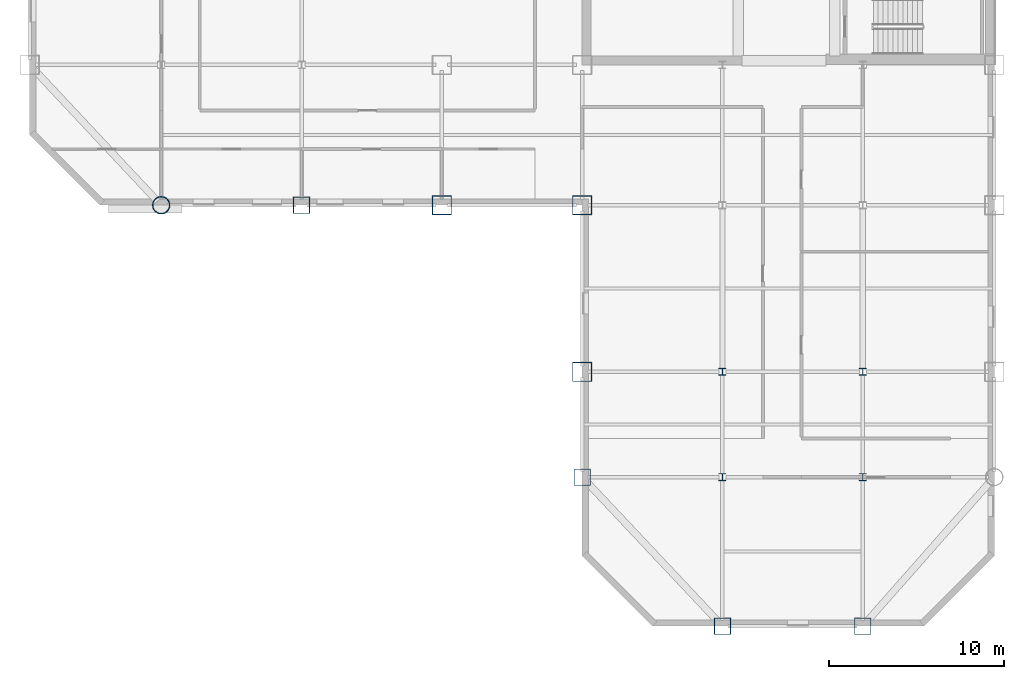
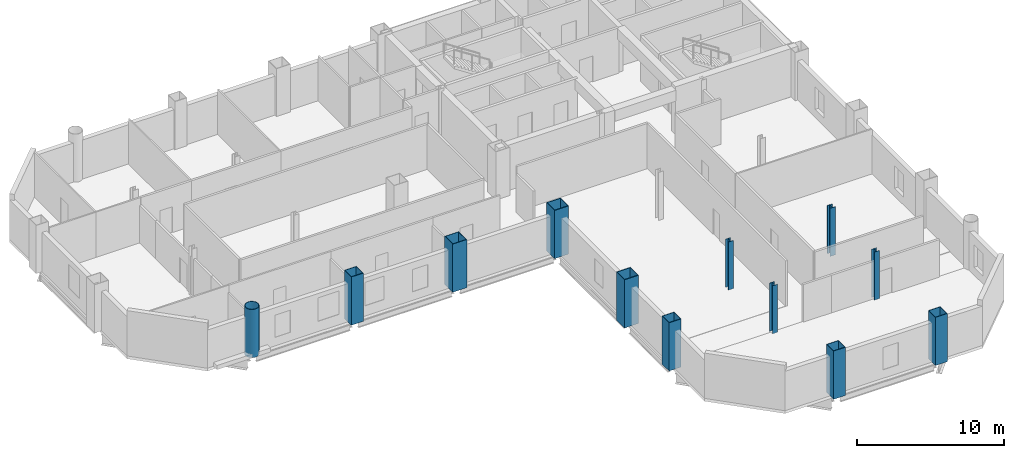
# One storey, part 1 of 10: 12 columns.
"""IFC4 building model written with IfcOpenShell, lengths in metres."""

import ifcopenshell
import ifcopenshell.guid

model = None  # the IFC model being written
_history = None  # IfcOwnerHistory: only IFC2X3 demands one
_inside = {}  # id of a spatial element -> (the spatial element, [elements in it])
_under = {}  # id of a project, library or spatial element -> (it, [spatial elements below it])
_declared = {}  # id of a project -> (the project, [libraries it declares])
_typed = {}  # id of a type object -> (the type object, [elements of that type])
_made_of = {}  # id of a material, layer set ... -> (it, [elements and type objects made of it])


def new_model(schema):
    """Start an empty IFC model of exactly this schema.

    Asked for "IFC4X3", IfcOpenShell would pick the latest addendum, in which some entities
    have other attributes; the version numbers below select the first issue.
    IFC2X3 requires an IfcOwnerHistory on every rooted entity: one is made here for all.
    """
    global model, _history
    if schema == "IFC4X3":
        model = ifcopenshell.file(schema_version=(4, 3, 0, 0))
    else:
        model = ifcopenshell.file(schema=schema)
    _inside.clear()
    _under.clear()
    _declared.clear()
    _typed.clear()
    _made_of.clear()
    _history = None
    if model.schema == "IFC2X3":
        org = make("IfcOrganization", Name="unknown")
        user = make(
            "IfcPersonAndOrganization",
            ThePerson=make("IfcPerson", FamilyName="unknown"),
            TheOrganization=org,
        )
        app = make(
            "IfcApplication",
            ApplicationDeveloper=org,
            Version="unknown",
            ApplicationFullName="unknown",
            ApplicationIdentifier="unknown",
        )
        _history = make(
            "IfcOwnerHistory",
            OwningUser=user,
            OwningApplication=app,
            ChangeAction="ADDED",
            CreationDate=0,
        )
    return model


def make(cls, **values):
    """One entity of the class cls with the attributes given. An attribute that is None is left unset."""
    return model.create_entity(
        cls, **{name: value for name, value in values.items() if value is not None}
    )


def rooted(cls, **values):
    """An entity with a GlobalId (a new one), such as an element, a storey or a relation."""
    return make(cls, GlobalId=ifcopenshell.guid.new(), OwnerHistory=_history, **values)


def si_unit(unit_type, name, prefix=None):
    """IfcSIUnit, for example si_unit("LENGTHUNIT", "METRE", prefix="MILLI")."""
    return make("IfcSIUnit", UnitType=unit_type, Prefix=prefix, Name=name)


def assignment(units):
    """IfcUnitAssignment: the units of a project."""
    return None if units is None else make("IfcUnitAssignment", Units=units)


def point(xyz):
    """IfcCartesianPoint."""
    return None if xyz is None else make("IfcCartesianPoint", Coordinates=xyz)


def direction(xyz):
    """IfcDirection."""
    return None if xyz is None else make("IfcDirection", DirectionRatios=xyz)


def frame(location, z_axis=None, x_axis=None):
    """IfcAxis2Placement3D, a coordinate frame: its origin and axes. An axis left out is left unset."""
    return make(
        "IfcAxis2Placement3D",
        Location=point(location),
        Axis=direction(z_axis),
        RefDirection=direction(x_axis),
    )


def frame_2d(location, x_axis=None):
    """IfcAxis2Placement2D, a coordinate frame in the plane: its origin and x axis."""
    return make(
        "IfcAxis2Placement2D", Location=point(location), RefDirection=direction(x_axis)
    )


def origin():
    """The frame at (0, 0, 0) with its axes left unset."""
    return frame((0.0, 0.0, 0.0))


def origin_2d():
    """The frame at (0, 0) in the plane with its x axis left unset."""
    return frame_2d((0.0, 0.0))


def place(relative_to, where):
    """IfcLocalPlacement: puts the frame where relative to a parent placement (None: the world)."""
    return make(
        "IfcLocalPlacement", PlacementRelTo=relative_to, RelativePlacement=where
    )


def context(
    kind, dimensions, precision=None, world=None, true_north=None, identifier=None
):
    """IfcGeometricRepresentationContext, for example the 3D "Model" context."""
    return make(
        "IfcGeometricRepresentationContext",
        ContextIdentifier=identifier,
        ContextType=kind,
        CoordinateSpaceDimension=dimensions,
        Precision=precision,
        WorldCoordinateSystem=world,
        TrueNorth=true_north,
    )


def subcontext(parent, identifier, kind, view, scale=None):
    """IfcGeometricRepresentationSubContext, for example "Body" below "Model"."""
    return make(
        "IfcGeometricRepresentationSubContext",
        ContextIdentifier=identifier,
        ContextType=kind,
        ParentContext=parent,
        TargetScale=scale,
        TargetView=view,
    )


def project(units=None, contexts=None):
    """IfcProject with its units and contexts."""
    return rooted(
        "IfcProject",
        Name="project",
        RepresentationContexts=contexts,
        UnitsInContext=assignment(units),
    )


def spatial(cls, under=None, at=None, **own):
    """A site, building, storey or space (cls), placed at a placement, below another one or the project."""
    s = rooted(cls, ObjectPlacement=at, **own)
    if under is not None:
        _under.setdefault(under.id(), (under, []))[1].append(s)
    return s


def profile(cls, at=None, kind="AREA", **sizes):
    """A parametric profile (cls). Its sizes go by their IFC names, for example OverallWidth=200.0."""
    return make(cls, ProfileType=kind, Position=at, **sizes)


def hollow_rectangle(**sizes):
    """IfcRectangleHollowProfileDef."""
    return profile("IfcRectangleHollowProfileDef", **sizes)


def hollow_circle(**sizes):
    """IfcCircleHollowProfileDef."""
    return profile("IfcCircleHollowProfileDef", **sizes)


def i_section(**sizes):
    """IfcIShapeProfileDef."""
    return profile("IfcIShapeProfileDef", **sizes)


def extrude(swept, where, along, depth):
    """IfcExtrudedAreaSolid: the profile swept, set in the frame where, extruded along a direction by depth."""
    return make(
        "IfcExtrudedAreaSolid",
        SweptArea=swept,
        Position=where,
        ExtrudedDirection=direction(along),
        Depth=depth,
    )


def shape(context_of_items, identifier, shape_type, items):
    """IfcShapeRepresentation: the items that make up one representation, for example the "Body"."""
    return make(
        "IfcShapeRepresentation",
        ContextOfItems=context_of_items,
        RepresentationIdentifier=identifier,
        RepresentationType=shape_type,
        Items=items,
    )


def material(Name=None, Category=None):
    """IfcMaterial."""
    return make("IfcMaterial", Name=Name, Category=Category)


def material_profile(
    of_material, cross_section, Name=None, Category=None, Priority=None
):
    """IfcMaterialProfile: a cross section and its material."""
    return make(
        "IfcMaterialProfile",
        Name=Name,
        Material=of_material,
        Profile=cross_section,
        Priority=Priority,
        Category=Category,
    )


def profile_set(profiles, Name=None, composite=None):
    """IfcMaterialProfileSet."""
    return make(
        "IfcMaterialProfileSet",
        Name=Name,
        MaterialProfiles=profiles,
        CompositeProfile=composite,
    )


def made_of(thing, what):
    """Note that an element or type object is made of a material, layer set ...; save() writes the relation."""
    if what is not None:
        _made_of.setdefault(what.id(), (what, []))[1].append(thing)
    return thing


def type_object(cls, material=None, **own):
    """A type object (cls), such as IfcWallType, which elements share."""
    return made_of(rooted(cls, **own), material)


def element(
    cls,
    number,
    at=None,
    inside=None,
    cuts=None,
    type_object=None,
    material=None,
    context=None,
    identifier="Body",
    shape_type=None,
    held_by="IfcProductDefinitionShape",
    body=None,
    shapes=None,
    **own,
):
    """One element of the class cls, such as IfcWall. Its Tag is "e" and its number.

    at: its placement. inside: the storey or other place that contains it. cuts: it is an
    opening in that element (IfcRelVoidsElement). A single representation is given by context,
    identifier, shape_type and body (its items); several are given by shapes. held_by: the class
    of the entity that holds the representations. save() writes the other relations.
    """
    e = rooted(cls, Tag="e%d" % number, ObjectPlacement=at, **own)
    if body is not None:
        shapes = [shape(context, identifier, shape_type, body)]
    if shapes is not None:
        e.Representation = make(held_by, Representations=shapes)
    if inside is not None:
        _inside.setdefault(inside.id(), (inside, []))[1].append(e)
    if cuts is not None:
        rooted(
            "IfcRelVoidsElement", RelatingBuildingElement=cuts, RelatedOpeningElement=e
        )
    if type_object is not None:
        _typed.setdefault(type_object.id(), (type_object, []))[1].append(e)
    return made_of(e, material)


def aggregate(whole, parts):
    """IfcRelAggregates: a whole, such as a stair, and the parts it consists of."""
    return rooted("IfcRelAggregates", RelatingObject=whole, RelatedObjects=parts)


def save(model, path):
    """Write the relations noted so far, then the file.

    IfcRelAggregates (storeys below a building ...), IfcRelContainedInSpatialStructure (elements
    in a storey), IfcRelDefinesByType, IfcRelAssociatesMaterial and IfcRelDeclares: one each for
    every whole, place, type object, material and project.
    """
    for whole, parts in _under.values():
        aggregate(whole, parts)
    for where, things in _inside.values():
        rooted(
            "IfcRelContainedInSpatialStructure",
            RelatedElements=things,
            RelatingStructure=where,
        )
    for kind, things in _typed.values():
        rooted("IfcRelDefinesByType", RelatedObjects=things, RelatingType=kind)
    for what, things in _made_of.values():
        rooted("IfcRelAssociatesMaterial", RelatedObjects=things, RelatingMaterial=what)
    for by, libraries in _declared.values():
        rooted("IfcRelDeclares", RelatingContext=by, RelatedDefinitions=libraries)
    model.write(path)


model = new_model("IFC4")

# Units and contexts
model_context = context("Model", 3, precision=1e-05, world=origin(), true_north=direction((0.0, 1.0)))
body_context = subcontext(model_context, "Body", "Model", "MODEL_VIEW")
ifc_project = project(units=[si_unit("LENGTHUNIT", "METRE"), si_unit("AREAUNIT", "SQUARE_METRE"), si_unit("VOLUMEUNIT", "CUBIC_METRE"), si_unit("PLANEANGLEUNIT", "RADIAN"), si_unit("MASSUNIT", "GRAM", prefix="KILO")], contexts=[model_context])

# Site, building, storey
site_placement = place(None, origin())
site = spatial("IfcSite", under=ifc_project, at=site_placement, CompositionType="ELEMENT")
building_placement = place(site_placement, origin())
building = spatial("IfcBuilding", under=site, at=building_placement, Name="Qianrong Seaharbour Tower", CompositionType="ELEMENT")
storey_placement = place(building_placement, frame((0.0, 0.0, 171.0)))
storey = spatial("IfcBuildingStorey", under=building, at=storey_placement, Name="L41", CompositionType="ELEMENT", Elevation=171.0)

# Columns
ifc_material = material(Name="Structural steel SN490B", Category="steel")
ifc_material_profile_1 = material_profile(ifc_material, hollow_rectangle(XDim=1.10009765625, YDim=1.10009765625, WallThickness=0.0400390625, at=origin_2d()), Name="BOX1100x1100x40")
ifc_profile_set_1 = profile_set([ifc_material_profile_1], Name="Structural steel SN490B")
column_type_1 = type_object("IfcColumnType", Name="COL-CFT-1100", PredefinedType="COLUMN", material=ifc_profile_set_1)
for number, where, z_axis, x_axis, name in (
    (1, (32.5, 28.0, 0.0), (0.0, 0.0, 1.0), (1.0, 0.0, 0.0), "L41 Column MC-3 at G5/GE"),
    (2, (40.5, 18.5, 0.0), (0.0, 0.0, 1.0), (1.0, 0.0, 0.0), "L41 Column MC-3 at G6/GD"),
    (3, (40.5, 28.0, 0.0), (0.0, 0.0, 1.0), (1.0, 0.0, 0.0), "L41 Column MC-3 at G6/GE"),
):
    element("IfcColumn", number, at=place(storey_placement, frame(where, z_axis=z_axis, x_axis=x_axis)), inside=storey, type_object=column_type_1, Name=name, PredefinedType="COLUMN", context=body_context, shape_type="SweptSolid", body=[
        extrude(hollow_rectangle(XDim=1.10009765625, YDim=1.10009765625, WallThickness=0.0400390625, at=origin_2d()), origin(), (0.0, 0.0, 1.0), 4.0),
    ])
ifc_material_profile_2 = material_profile(ifc_material, hollow_circle(Radius=0.5, WallThickness=0.035888671875, at=origin_2d()), Name="CHS1000x36")
ifc_profile_set_2 = profile_set([ifc_material_profile_2], Name="Structural steel SN490B")
column_type_2 = type_object("IfcColumnType", Name="COL-CHS-1000", PredefinedType="COLUMN", material=ifc_profile_set_2)
column_placement = place(storey_placement, frame((16.5, 28.0, 0.0), z_axis=(0.0, 0.0, 1.0), x_axis=(1.0, 0.0, 0.0)))
element("IfcColumn", 4, at=column_placement, inside=storey, type_object=column_type_2, Name="L41 Column CC-2 at G3/GE", PredefinedType="COLUMN", context=body_context, shape_type="SweptSolid", body=[
    extrude(hollow_circle(Radius=0.5, WallThickness=0.035888671875, at=origin_2d()), origin(), (0.0, 0.0, 1.0), 4.0),
])
ifc_material_profile_3 = material_profile(ifc_material, i_section(OverallWidth=0.39990234375, OverallDepth=0.39990234375, WebThickness=0.012939453125, FlangeThickness=0.02099609375, FilletRadius=0.02197265625, at=origin_2d()), Name="H400x400x13x21")
ifc_profile_set_3 = profile_set([ifc_material_profile_3], Name="Structural steel SN490B")
column_type_3 = type_object("IfcColumnType", Name="COL-INT-H400", PredefinedType="COLUMN", material=ifc_profile_set_3)
for number, where, z_axis, x_axis, name in (
    (5, (48.5, 12.5, 0.0), (0.0, 0.0, 1.0), (1.0, 0.0, 0.0), "L41 Column IC-3 at G7/GC"),
    (6, (48.5, 18.5, 0.0), (0.0, 0.0, 1.0), (1.0, 0.0, 0.0), "L41 Column IC-3 at G7/GD"),
    (7, (56.5, 12.5, 0.0), (0.0, 0.0, 1.0), (1.0, 0.0, 0.0), "L41 Column IC-3 at G8/GC"),
    (8, (56.5, 18.5, 0.0), (0.0, 0.0, 1.0), (1.0, 0.0, 0.0), "L41 Column IC-3 at G8/GD"),
):
    element("IfcColumn", number, at=place(storey_placement, frame(where, z_axis=z_axis, x_axis=x_axis)), inside=storey, type_object=column_type_3, Name=name, PredefinedType="COLUMN", context=body_context, shape_type="SweptSolid", body=[
        extrude(i_section(OverallWidth=0.39990234375, OverallDepth=0.39990234375, WebThickness=0.012939453125, FlangeThickness=0.02099609375, FilletRadius=0.02197265625, at=origin_2d()), origin(), (0.0, 0.0, 1.0), 4.0),
    ])
ifc_material_profile_4 = material_profile(ifc_material, hollow_rectangle(XDim=0.949951171875, YDim=0.949951171875, WallThickness=0.035888671875, at=origin_2d()), Name="BOX950x950x36")
ifc_profile_set_4 = profile_set([ifc_material_profile_4], Name="Structural steel SN490B")
column_type_4 = type_object("IfcColumnType", Name="COL-PER-950", PredefinedType="COLUMN", material=ifc_profile_set_4)
for number, where, z_axis, x_axis, name in (
    (9, (24.5, 28.0, 0.0), (0.0, 0.0, 1.0), (1.0, 0.0, 0.0), "L41 Column PC-2 at G4/GE"),
    (10, (40.5, 12.5, 0.0), (0.0, 0.0, 1.0), (1.0, 0.0, 0.0), "L41 Column PC-2 at G6/GC"),
    (11, (48.5, 4.0, 0.0), (0.0, 0.0, 1.0), (1.0, 0.0, 0.0), "L41 Column PC-2 at G7/GB"),
    (12, (56.5, 4.0, 0.0), (0.0, 0.0, 1.0), (1.0, 0.0, 0.0), "L41 Column PC-2 at G8/GB"),
):
    element("IfcColumn", number, at=place(storey_placement, frame(where, z_axis=z_axis, x_axis=x_axis)), inside=storey, type_object=column_type_4, Name=name, PredefinedType="COLUMN", context=body_context, shape_type="SweptSolid", body=[
        extrude(hollow_rectangle(XDim=0.949951171875, YDim=0.949951171875, WallThickness=0.035888671875, at=origin_2d()), origin(), (0.0, 0.0, 1.0), 4.0),
    ])

save(model, "model.ifc")
